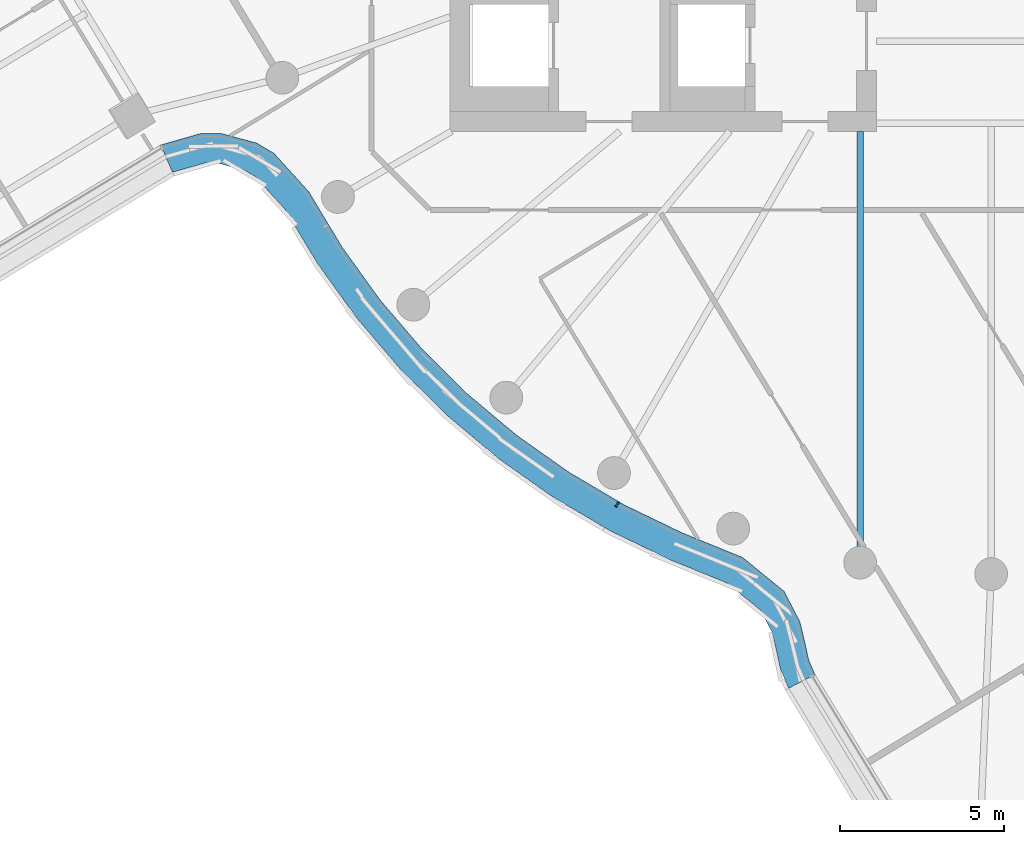
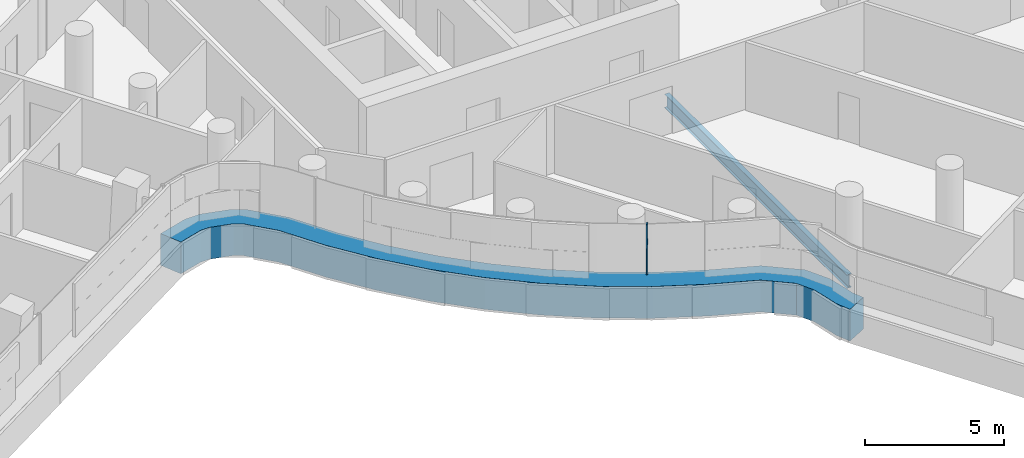
# One storey, part 5 of 35: 2 members, 1 beam, 1 element without a shape of its own.
"""IFC4 building model written with IfcOpenShell, lengths in metres."""

from ifc_helpers import new_model, si_unit, direction, frame, origin, origin_2d, place, context, subcontext, project, spatial, polyline, rectangle, i_section, outline, extrude, material, layer, layer_set, material_profile, profile_set, type_object, element, aggregate, save


model = new_model("IFC4")

# Units and contexts
model_context = context("Model", 3, precision=1e-05, world=origin(), true_north=direction((0.0, 1.0)))
body_context = subcontext(model_context, "Body", "Model", "MODEL_VIEW")
ifc_project = project(units=[si_unit("LENGTHUNIT", "METRE"), si_unit("AREAUNIT", "SQUARE_METRE"), si_unit("VOLUMEUNIT", "CUBIC_METRE"), si_unit("PLANEANGLEUNIT", "RADIAN"), si_unit("MASSUNIT", "GRAM", prefix="KILO")], contexts=[model_context])

# Site, building, storey
site_placement = place(None, origin())
site = spatial("IfcSite", under=ifc_project, at=site_placement, CompositionType="ELEMENT")
building_placement = place(site_placement, origin())
building = spatial("IfcBuilding", under=site, at=building_placement, Name="Tamarind Cross Interchange Tower", CompositionType="ELEMENT")
storey_placement = place(building_placement, frame((0.0, 0.0, 148.0)))
storey = spatial("IfcBuildingStorey", under=building, at=storey_placement, Name="L36", CompositionType="ELEMENT", Elevation=148.0)

# Beam
ifc_material_1 = material(Name="Steel Q355B", Category="steel")
ifc_material_profile_1 = material_profile(ifc_material_1, i_section(OverallWidth=0.198974609375, OverallDepth=0.595947265625, WebThickness=0.010009765625, FlangeThickness=0.014892578125, FilletRadius=0.012939453125, at=origin_2d()), Name="HN 596x199x10x15")
ifc_profile_set_1 = profile_set([ifc_material_profile_1], Name="Steel Q355B")
beam_type = type_object("IfcBeamType", Name="Composite beam HN 596x199x10x15 Q355B", PredefinedType="BEAM", material=ifc_profile_set_1)
beam_placement = place(storey_placement, frame((-3.993896484375, -22.650634765625, -0.43798828125), z_axis=(0.0, 1.0, 0.0), x_axis=(-1.0, 0.0, 0.0)))
element("IfcBeam", 1, at=beam_placement, inside=storey, type_object=beam_type, Name="Beam HH26", PredefinedType="BEAM", context=body_context, shape_type="SweptSolid", body=[
    extrude(i_section(OverallWidth=0.198974609375, OverallDepth=0.595947265625, WebThickness=0.010009765625, FlangeThickness=0.014892578125, FilletRadius=0.012939453125, at=origin_2d()), origin(), (0.0, 0.0, 1.0), 13.150634765625),
])

# Curtain wall, members
ifc_material_2 = material(Name="Aluminium 6063-T6", Category="aluminium")
ifc_layer = layer(ifc_material_2, 0.159912109375)
ifc_layer_set = layer_set([ifc_layer], Name="Aluminium 6063-T6")
curtain_wall_type = type_object("IfcCurtainWallType", Name="Office curtain wall, 9.0 m bays", PredefinedType="NOTDEFINED", material=ifc_layer_set)
curtain_wall_placement = place(storey_placement, origin())
curtain_wall = element("IfcCurtainWall", 2, at=curtain_wall_placement, inside=storey, type_object=curtain_wall_type, Name="CWS-L36-02", PredefinedType="NOTDEFINED")
ifc_material_3 = material(Name="Aluminium and insulated spandrel panel", Category="aluminium")
member_type_1 = type_object("IfcMemberType", Name="Floor-edge blade transom", PredefinedType="USERDEFINED", material=ifc_material_3)
member_1_placement = place(storey_placement, origin())
member_1 = element("IfcMember", 3, at=member_1_placement, type_object=member_type_1, Name="CWT-L36-02", ObjectType="TRANSOM", PredefinedType="USERDEFINED", context=body_context, shape_type="SweptSolid", body=[
    extrude(outline(polyline([(-25.32666015625, -9.91357421875), (-24.099365234375, -9.56494140625), (-23.493408203125, -9.56103515625), (-22.39306640625, -9.858154296875), (-21.867919921875, -10.1689453125), (-20.8125, -11.331787109375), (-19.78125, -13.045654296875), (-18.636474609375, -14.634521484375), (-17.3642578125, -16.12353515625), (-15.973388671875, -17.50244140625), (-14.4736328125, -18.76171875), (-12.874755859375, -19.892822265625), (-11.188232421875, -20.88818359375), (-9.42236328125, -21.741943359375), (-7.57763671875, -22.49267578125), (-6.316650390625, -23.522216796875), (-5.836181640625, -24.4443359375), (-5.676513671875, -25.094970703125), (-5.560302734375, -25.632568359375), (-5.36962890625, -26.064208984375), (-6.1689453125, -26.48193359375), (-6.420654296875, -25.912353515625), (-6.553466796875, -25.29736328125), (-6.684326171875, -24.76416015625), (-7.029052734375, -24.102294921875), (-8.042236328125, -23.275390625), (-9.788330078125, -22.564697265625), (-11.613525390625, -21.68212890625), (-13.3642578125, -20.64892578125), (-15.023681640625, -19.474853515625), (-16.580810546875, -18.167724609375), (-18.0244140625, -16.736572265625), (-19.344970703125, -15.19091796875), (-20.533203125, -13.54150390625), (-21.538330078125, -11.871337890625), (-22.443115234375, -10.874267578125), (-22.74609375, -10.695068359375), (-23.610107421875, -10.461669921875), (-23.970947265625, -10.464111328125), (-24.964111328125, -10.74609375), (-25.32666015625, -9.91357421875)])), origin(), (0.0, 0.0, 1.0), 1.39990234375),
])
ifc_material_profile_2 = material_profile(ifc_material_2, rectangle(XDim=0.06005859375, YDim=0.159912109375, at=origin_2d()), Name="Mullion CW1")
ifc_profile_set_2 = profile_set([ifc_material_profile_2], Name="Aluminium 6063-T6")
member_type_2 = type_object("IfcMemberType", Name="Mullion CW1", PredefinedType="MULLION", material=ifc_profile_set_2)
member_2_placement = place(storey_placement, frame((-11.404541015625, -20.87646484375, 1.39990234375), z_axis=(0.0, 0.0, 1.0), x_axis=(0.861248933065, -0.508183308752, 0.0)))
member_2 = element("IfcMember", 4, at=member_2_placement, type_object=member_type_2, Name="CWM-L36-02-02", PredefinedType="MULLION", context=body_context, shape_type="SweptSolid", body=[
    extrude(rectangle(XDim=0.06005859375, YDim=0.159912109375, at=origin_2d()), origin(), (0.0, 0.0, 1.0), 2.210205078125),
])
aggregate(curtain_wall, [member_2, member_1])

save(model, "model.ifc")
